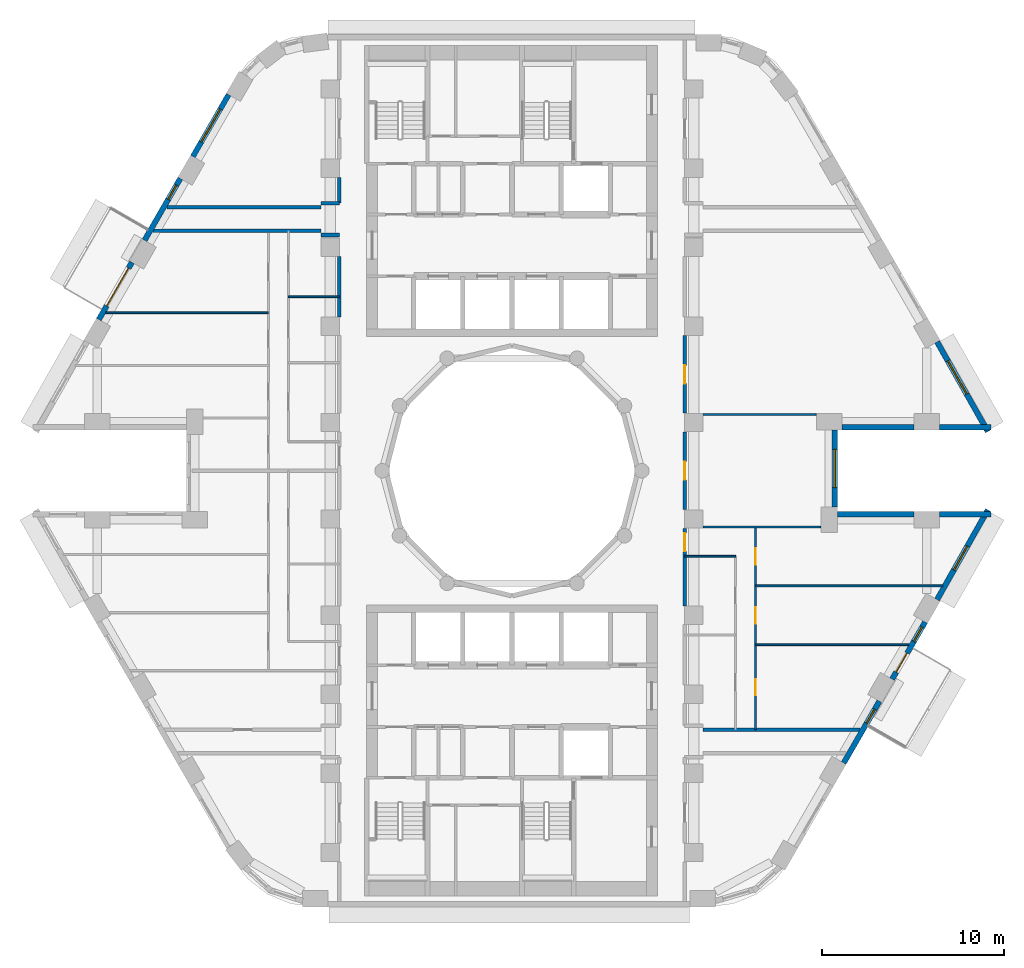
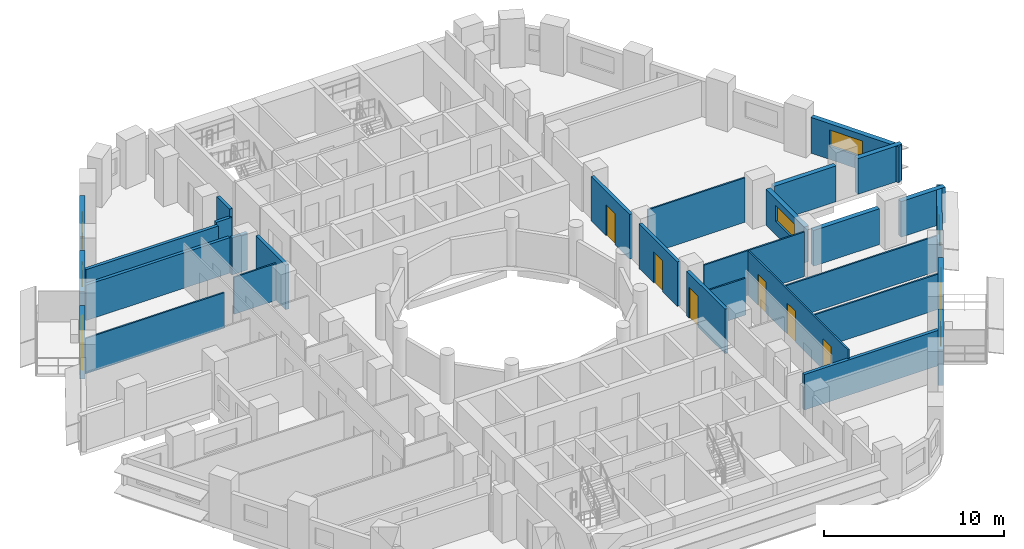
# One storey, part 6 of 14: 30 walls, 8 doors, 7 windows, 15 openings.
"""IFC4 building model written with IfcOpenShell, lengths in metres."""

from ifc_helpers import new_model, si_unit, direction, frame, frame_2d, origin, place, context, subcontext, project, spatial, rectangle, extrude, material, layer, layer_set, type_object, element, fill, save


model = new_model("IFC4")

# Units and contexts
model_context = context("Model", 3, precision=1e-05, world=origin(), true_north=direction((0.0, 1.0)))
body_context = subcontext(model_context, "Body", "Model", "MODEL_VIEW")
ifc_project = project(units=[si_unit("LENGTHUNIT", "METRE"), si_unit("AREAUNIT", "SQUARE_METRE"), si_unit("VOLUMEUNIT", "CUBIC_METRE"), si_unit("PLANEANGLEUNIT", "RADIAN"), si_unit("MASSUNIT", "GRAM", prefix="KILO")], contexts=[model_context])

# Site, building, storey
site_placement = place(None, origin())
site = spatial("IfcSite", under=ifc_project, at=site_placement, CompositionType="ELEMENT")
building_placement = place(site_placement, origin())
building = spatial("IfcBuilding", under=site, at=building_placement, Name="Nakaniwa Court", CompositionType="ELEMENT")
storey_placement = place(building_placement, frame((0.0, 0.0, 110.699951171875)))
storey = spatial("IfcBuildingStorey", under=building, at=storey_placement, Name="L29", CompositionType="ELEMENT", Elevation=110.699951171875)

# Wall, opening, door
ifc_material_1 = material(Name="Acoustic double stud partition")
ifc_layer_1 = layer(ifc_material_1, 0.199951171875)
ifc_layer_set_1 = layer_set([ifc_layer_1], Name="Acoustic double stud partition")
wall_type_1 = type_object("IfcWallType", Name="Acoustic double stud partition 200", PredefinedType="PARTITIONING", material=ifc_layer_set_1)
wall_1_placement = place(storey_placement, frame((89.5, 76.8330078125, 0.0), z_axis=(0.0, 0.0, 1.0), x_axis=(0.0, -1.0, 0.0)))
wall_1 = element("IfcWall", 1, at=wall_1_placement, inside=storey, type_object=wall_type_1, Name="Partition PW-074", PredefinedType="PARTITIONING", context=body_context, shape_type="SweptSolid", body=[
    extrude(rectangle(XDim=4.26611328125, YDim=0.199951171875, at=frame_2d((2.133056640625, 0.0))), origin(), (0.0, 0.0, 1.0), 3.025146484375),
])
opening_1_placement = place(wall_1_placement, frame((0.26806640625, 0.0, 0.0)))
opening_1 = element("IfcOpeningElement", 2, at=opening_1_placement, cuts=wall_1, Name="Opening D-01-01", PredefinedType="OPENING", context=body_context, shape_type="SweptSolid", body=[
    extrude(rectangle(XDim=1.0, YDim=2.10009765625, at=frame_2d((0.5, 1.050048828125))), frame((0.0, 0.10986328125, 0.0), z_axis=(0.0, -1.0, 0.0), x_axis=(1.0, 0.0, 0.0)), (0.0, 0.0, 1.0), 0.219970703125),
])
ifc_material_2 = material(Name="Solid core timber door set, black veneer", Category="wood")
door_type_1 = type_object("IfcDoorType", Name="Flat entrance door 1000", OperationType="NOTDEFINED", PredefinedType="DOOR", material=ifc_material_2)
door_1_placement = place(opening_1_placement, origin())
door_1 = element("IfcDoor", 3, at=door_1_placement, inside=storey, type_object=door_type_1, Name="Door D-01-01 L29-028", OperationType="SINGLE_SWING_LEFT", OverallHeight=2.10009765625, OverallWidth=1.0, PredefinedType="DOOR", context=body_context, shape_type="SweptSolid", body=[
    extrude(rectangle(XDim=1.0, YDim=2.10009765625, at=frame_2d((0.5, 1.050048828125))), frame((0.0, 0.02490234375, 0.0), z_axis=(0.0, -1.0, 0.0), x_axis=(1.0, 0.0, 0.0)), (0.0, 0.0, 1.0), 0.050048828125),
])
fill(opening_1, door_1)

wall_2_placement = place(storey_placement, frame((89.5, 82.133056640625, 0.0), z_axis=(0.0, 0.0, 1.0), x_axis=(0.0, -1.0, 0.0)))
wall_2 = element("IfcWall", 4, at=wall_2_placement, inside=storey, type_object=wall_type_1, Name="Partition PW-075", PredefinedType="PARTITIONING", context=body_context, shape_type="SweptSolid", body=[
    extrude(rectangle(XDim=4.26611328125, YDim=0.199951171875, at=frame_2d((2.133056640625, 0.0))), origin(), (0.0, 0.0, 1.0), 3.025146484375),
])
opening_2_placement = place(wall_2_placement, frame((1.633056640625, 0.0, 0.0)))
opening_2 = element("IfcOpeningElement", 5, at=opening_2_placement, cuts=wall_2, Name="Opening D-02-02", PredefinedType="OPENING", context=body_context, shape_type="SweptSolid", body=[
    extrude(rectangle(XDim=1.0, YDim=2.10009765625, at=frame_2d((0.5, 1.050048828125))), frame((0.0, 0.10986328125, 0.0), z_axis=(0.0, -1.0, 0.0), x_axis=(1.0, 0.0, 0.0)), (0.0, 0.0, 1.0), 0.219970703125),
])
door_type_2 = type_object("IfcDoorType", Name="Internal door 1000", OperationType="NOTDEFINED", PredefinedType="DOOR", material=ifc_material_2)
door_2_placement = place(opening_2_placement, origin())
door_2 = element("IfcDoor", 6, at=door_2_placement, inside=storey, type_object=door_type_2, Name="Door D-02-02 L29-034", OperationType="SINGLE_SWING_LEFT", OverallHeight=2.10009765625, OverallWidth=1.0, PredefinedType="DOOR", context=body_context, shape_type="SweptSolid", body=[
    extrude(rectangle(XDim=1.0, YDim=2.10009765625, at=frame_2d((0.5, 1.050048828125))), frame((0.0, 0.02490234375, 0.0), z_axis=(0.0, -1.0, 0.0), x_axis=(1.0, 0.0, 0.0)), (0.0, 0.0, 1.0), 0.050048828125),
])
fill(opening_2, door_2)

wall_3_placement = place(storey_placement, frame((89.5, 87.43310546875, 0.0), z_axis=(0.0, 0.0, 1.0), x_axis=(0.0, -1.0, 0.0)))
wall_3 = element("IfcWall", 7, at=wall_3_placement, inside=storey, type_object=wall_type_1, Name="Partition PW-076", PredefinedType="PARTITIONING", context=body_context, shape_type="SweptSolid", body=[
    extrude(rectangle(XDim=4.26611328125, YDim=0.199951171875, at=frame_2d((2.133056640625, 0.0))), origin(), (0.0, 0.0, 1.0), 3.025146484375),
])
opening_3_placement = place(wall_3_placement, frame((1.633056640625, 0.0, 0.0)))
opening_3 = element("IfcOpeningElement", 8, at=opening_3_placement, cuts=wall_3, Name="Opening D-02-03", PredefinedType="OPENING", context=body_context, shape_type="SweptSolid", body=[
    extrude(rectangle(XDim=1.0, YDim=2.10009765625, at=frame_2d((0.5, 1.050048828125))), frame((0.0, 0.10986328125, 0.0), z_axis=(0.0, -1.0, 0.0), x_axis=(1.0, 0.0, 0.0)), (0.0, 0.0, 1.0), 0.219970703125),
])
door_3_placement = place(opening_3_placement, origin())
door_3 = element("IfcDoor", 9, at=door_3_placement, inside=storey, type_object=door_type_2, Name="Door D-02-03 L29-035", OperationType="SINGLE_SWING_RIGHT", OverallHeight=2.10009765625, OverallWidth=1.0, PredefinedType="DOOR", context=body_context, shape_type="SweptSolid", body=[
    extrude(rectangle(XDim=1.0, YDim=2.10009765625, at=frame_2d((0.5, 1.050048828125))), frame((0.0, 0.02490234375, 0.0), z_axis=(0.0, -1.0, 0.0), x_axis=(1.0, 0.0, 0.0)), (0.0, 0.0, 1.0), 0.050048828125),
])
fill(opening_3, door_3)

# Walls
wall_4_placement = place(storey_placement, frame((60.254638671875, 93.199951171875, 0.0), z_axis=(0.0, 0.0, 1.0), x_axis=(1.0, 0.0, 0.0)))
element("IfcWall", 10, at=wall_4_placement, inside=storey, type_object=wall_type_1, Name="Partition PW-081", PredefinedType="PARTITIONING", context=body_context, shape_type="SweptSolid", body=[
    extrude(rectangle(XDim=9.245361328125, YDim=0.199951171875, at=frame_2d((4.62255859375, 0.0))), origin(), (0.0, 0.0, 1.0), 2.405029296875),
])
for number, where, z_axis, x_axis, name in (
    (11, (69.5, 92.97509765625, 0.0), (0.0, 0.0, 1.0), (1.0, 0.0, 0.0), "Partition PW-083"),
    (12, (69.5, 94.72509765625, 0.0), (0.0, 0.0, 1.0), (1.0, 0.0, 0.0), "Partition PW-085"),
):
    element("IfcWall", number, at=place(storey_placement, frame(where, z_axis=z_axis, x_axis=x_axis)), inside=storey, type_object=wall_type_1, Name=name, PredefinedType="PARTITIONING", context=body_context, shape_type="SweptSolid", body=[
        extrude(rectangle(XDim=1.0, YDim=0.199951171875, at=frame_2d((0.5, 0.0))), origin(), (0.0, 0.0, 1.0), 2.505126953125),
    ])
wall_5_placement = place(storey_placement, frame((61.005126953125, 94.5, 0.0), z_axis=(0.0, 0.0, 1.0), x_axis=(1.0, 0.0, 0.0)))
element("IfcWall", 13, at=wall_5_placement, inside=storey, type_object=wall_type_1, Name="Partition PW-087", PredefinedType="PARTITIONING", context=body_context, shape_type="SweptSolid", body=[
    extrude(rectangle(XDim=8.494873046875, YDim=0.199951171875, at=frame_2d((4.24755859375, 0.0))), origin(), (0.0, 0.0, 1.0), 2.405029296875),
])
wall_6_placement = place(storey_placement, frame((90.5, 65.75, 0.0), z_axis=(0.0, 0.0, 1.0), x_axis=(1.0, 0.0, 0.0)))
element("IfcWall", 14, at=wall_6_placement, inside=storey, type_object=wall_type_1, Name="Partition PW-096", PredefinedType="PARTITIONING", context=body_context, shape_type="SweptSolid", body=[
    extrude(rectangle(XDim=8.63916015625, YDim=0.199951171875, at=frame_2d((4.319580078125, 0.0))), origin(), (0.0, 0.0, 1.0), 2.405029296875),
])
wall_7_placement = place(storey_placement, frame((70.5, 88.467041015625, 0.0), z_axis=(0.0, 0.0, 1.0), x_axis=(0.0, 1.0, 0.0)))
element("IfcWall", 15, at=wall_7_placement, inside=storey, type_object=wall_type_1, Name="Partition PW-105", PredefinedType="PARTITIONING", context=body_context, shape_type="SweptSolid", body=[
    extrude(rectangle(XDim=3.31591796875, YDim=0.199951171875, at=frame_2d((1.657958984375, 0.0))), origin(), (0.0, 0.0, 1.0), 3.025146484375),
])
wall_8_placement = place(storey_placement, frame((70.5, 94.721923828125, 0.0), z_axis=(0.0, 0.0, 1.0), x_axis=(0.0, 1.0, 0.0)))
element("IfcWall", 16, at=wall_8_placement, inside=storey, type_object=wall_type_1, Name="Partition PW-106", PredefinedType="PARTITIONING", context=body_context, shape_type="SweptSolid", body=[
    extrude(rectangle(XDim=1.4111328125, YDim=0.199951171875, at=frame_2d((0.70556640625, 0.0))), origin(), (0.0, 0.0, 1.0), 3.025146484375),
])
ifc_material_3 = material(Name="Charcoal ceramic cladding")
ifc_layer_2 = layer(ifc_material_3, 0.02, Name="Ceramic cladding")
ifc_material_4 = material(Name="Ventilated air cavity")
ifc_layer_3 = layer(ifc_material_4, 0.04, ventilated=True, Name="Ventilated cavity")
ifc_material_5 = material(Name="Mineral wool insulation")
ifc_layer_4 = layer(ifc_material_5, 0.1, Name="Insulation")
ifc_material_6 = material(Name="Cement bonded sheathing board")
ifc_layer_5 = layer(ifc_material_6, 0.012, Name="Sheathing")
ifc_material_7 = material(Name="Cold-formed galvanised stud frame with mineral wool infill")
ifc_layer_6 = layer(ifc_material_7, 0.1, Name="Stud frame")
ifc_material_8 = material(Name="Fire-rated gypsum plasterboard lining")
ifc_layer_7 = layer(ifc_material_8, 0.028, Name="Lining")
ifc_layer_set_2 = layer_set([ifc_layer_2, ifc_layer_3, ifc_layer_4, ifc_layer_5, ifc_layer_6, ifc_layer_7], Name="Charcoal ceramic faced external wall system")
wall_type_2 = type_object("IfcWallType", Name="Black ceramic faced external wall 300", PredefinedType="SOLIDWALL", material=ifc_layer_set_2)
wall_9_placement = place(storey_placement, frame((98.154296875, 82.39990234375, 0.0), z_axis=(0.0, 0.0, 1.0), x_axis=(1.0, 0.0, 0.0)))
element("IfcWall", 17, at=wall_9_placement, inside=storey, type_object=wall_type_2, Name="L29 external wall 00", PredefinedType="SOLIDWALL", context=body_context, shape_type="SweptSolid", body=[
    extrude(rectangle(XDim=3.97265625, YDim=0.300048828125, at=frame_2d((1.986328125, 0.0))), origin(), (0.0, 0.0, 1.0), 2.425048828125),
])
wall_10_placement = place(storey_placement, frame((103.518798828125, 82.39990234375, 0.0), z_axis=(0.0, 0.0, 1.0), x_axis=(1.0, 0.0, 0.0)))
element("IfcWall", 18, at=wall_10_placement, inside=storey, type_object=wall_type_2, Name="L29 external wall 01", PredefinedType="SOLIDWALL", context=body_context, shape_type="SweptSolid", body=[
    extrude(rectangle(XDim=2.837890625, YDim=0.300048828125, at=frame_2d((1.4189453125, 0.0))), origin(), (0.0, 0.0, 1.0), 2.425048828125),
])

# Wall, opening, window
wall_11_placement = place(storey_placement, frame((106.18603515625, 82.1533203125, 0.0), z_axis=(0.0, 0.0, 1.0), x_axis=(-0.492456858874, 0.870336855561, 0.0)))
wall_11 = element("IfcWall", 19, at=wall_11_placement, inside=storey, type_object=wall_type_2, Name="L29 external wall 02", PredefinedType="SOLIDWALL", context=body_context, shape_type="SweptSolid", body=[
    extrude(rectangle(XDim=5.676513671875, YDim=0.300048828125, at=frame_2d((2.83837890625, 0.0))), origin(), (0.0, 0.0, 1.0), 2.425048828125),
])
opening_4_placement = place(wall_11_placement, frame((2.367431640625, 0.0, 0.89990234375)))
opening_4 = element("IfcOpeningElement", 20, at=opening_4_placement, cuts=wall_11, Name="Opening W7.01", PredefinedType="OPENING", context=body_context, shape_type="SweptSolid", body=[
    extrude(rectangle(XDim=2.10009765625, YDim=1.10009765625, at=frame_2d((1.050048828125, 0.550048828125))), frame((0.0, 0.159912109375, 0.0), z_axis=(0.0, -1.0, 0.0), x_axis=(1.0, 0.0, 0.0)), (0.0, 0.0, 1.0), 0.320068359375),
])
ifc_material_9 = material(Name="Black anodised aluminium frame with dark low-E laminated double glazing", Category="aluminium")
window_type_1 = type_object("IfcWindowType", Name="Dark glass window 2100x1100 sill 900", PartitioningType="SINGLE_PANEL", PredefinedType="WINDOW", material=ifc_material_9)
window_1_placement = place(opening_4_placement, origin())
window_1 = element("IfcWindow", 21, at=window_1_placement, inside=storey, type_object=window_type_1, Name="L29 habitable room window 02-0", OverallHeight=1.10009765625, OverallWidth=2.10009765625, PartitioningType="SINGLE_PANEL", PredefinedType="WINDOW", context=body_context, shape_type="SweptSolid", body=[
    extrude(rectangle(XDim=2.10009765625, YDim=1.10009765625, at=frame_2d((1.050048828125, 0.550048828125))), frame((0.0, 0.030029296875, 0.0), z_axis=(0.0, -1.0, 0.0), x_axis=(1.0, 0.0, 0.0)), (0.0, 0.0, 1.0), 0.06005859375),
])
fill(opening_4, window_1)

wall_12_placement = place(storey_placement, frame((64.40966796875, 100.69677734375, 0.0), z_axis=(0.0, 0.0, 1.0), x_axis=(-0.500003583557, -0.866023334807, 0.0)))
wall_12 = element("IfcWall", 22, at=wall_12_placement, inside=storey, type_object=wall_type_2, Name="L29 external wall 11", PredefinedType="SOLIDWALL", context=body_context, shape_type="SweptSolid", body=[
    extrude(rectangle(XDim=3.93408203125, YDim=0.300048828125, at=frame_2d((1.967041015625, 0.0))), origin(), (0.0, 0.0, 1.0), 2.425048828125),
])
opening_5_placement = place(wall_12_placement, frame((0.9169921875, 0.0, 0.89990234375)))
opening_5 = element("IfcOpeningElement", 23, at=opening_5_placement, cuts=wall_12, Name="Opening W7.09", PredefinedType="OPENING", context=body_context, shape_type="SweptSolid", body=[
    extrude(rectangle(XDim=2.10009765625, YDim=1.10009765625, at=frame_2d((1.050048828125, 0.550048828125))), frame((0.0, 0.159912109375, 0.0), z_axis=(0.0, -1.0, 0.0), x_axis=(1.0, 0.0, 0.0)), (0.0, 0.0, 1.0), 0.320068359375),
])
window_2_placement = place(opening_5_placement, origin())
window_2 = element("IfcWindow", 24, at=window_2_placement, inside=storey, type_object=window_type_1, Name="L29 habitable room window 11-0", OverallHeight=1.10009765625, OverallWidth=2.10009765625, PartitioningType="SINGLE_PANEL", PredefinedType="WINDOW", context=body_context, shape_type="SweptSolid", body=[
    extrude(rectangle(XDim=2.10009765625, YDim=1.10009765625, at=frame_2d((1.050048828125, 0.550048828125))), frame((0.0, 0.030029296875, 0.0), z_axis=(0.0, -1.0, 0.0), x_axis=(1.0, 0.0, 0.0)), (0.0, 0.0, 1.0), 0.06005859375),
])
fill(opening_5, window_2)

wall_13_placement = place(storey_placement, frame((61.74658203125, 96.08447265625, 0.0), z_axis=(0.0, 0.0, 1.0), x_axis=(-0.499957037901, -0.866050206543, 0.0)))
wall_13 = element("IfcWall", 25, at=wall_13_placement, inside=storey, type_object=wall_type_2, Name="L29 external wall 12", PredefinedType="SOLIDWALL", context=body_context, shape_type="SweptSolid", body=[
    extrude(rectangle(XDim=3.933837890625, YDim=0.300048828125, at=frame_2d((1.966796875, 0.0))), origin(), (0.0, 0.0, 1.0), 2.425048828125),
])
opening_6_placement = place(wall_13_placement, frame((0.427734375, 0.0, 0.89990234375)))
opening_6 = element("IfcOpeningElement", 26, at=opening_6_placement, cuts=wall_13, Name="Opening W9.10", PredefinedType="OPENING", context=body_context, shape_type="SweptSolid", body=[
    extrude(rectangle(XDim=0.89990234375, YDim=1.10009765625, at=frame_2d((0.449951171875, 0.550048828125))), frame((0.0, 0.159912109375, 0.0), z_axis=(0.0, -1.0, 0.0), x_axis=(1.0, 0.0, 0.0)), (0.0, 0.0, 1.0), 0.320068359375),
])
window_type_2 = type_object("IfcWindowType", Name="Dark glass window 900x1100 sill 900", PartitioningType="SINGLE_PANEL", PredefinedType="WINDOW", material=ifc_material_9)
window_3_placement = place(opening_6_placement, origin())
window_3 = element("IfcWindow", 27, at=window_3_placement, inside=storey, type_object=window_type_2, Name="L29 habitable room window 12-0", OverallHeight=1.10009765625, OverallWidth=0.89990234375, PartitioningType="SINGLE_PANEL", PredefinedType="WINDOW", context=body_context, shape_type="SweptSolid", body=[
    extrude(rectangle(XDim=0.89990234375, YDim=1.10009765625, at=frame_2d((0.449951171875, 0.550048828125))), frame((0.0, 0.030029296875, 0.0), z_axis=(0.0, -1.0, 0.0), x_axis=(1.0, 0.0, 0.0)), (0.0, 0.0, 1.0), 0.06005859375),
])
fill(opening_6, window_3)

# Wall, opening, door
wall_14_placement = place(storey_placement, frame((59.083740234375, 91.471923828125, 0.0), z_axis=(0.0, 0.0, 1.0), x_axis=(-0.500009139881, -0.866020126807, 0.0)))
wall_14 = element("IfcWall", 28, at=wall_14_placement, inside=storey, type_object=wall_type_2, Name="L29 external wall 13", PredefinedType="SOLIDWALL", context=body_context, shape_type="SweptSolid", body=[
    extrude(rectangle(XDim=3.63671875, YDim=0.300048828125, at=frame_2d((1.818359375, 0.0))), origin(), (0.0, 0.0, 1.0), 2.425048828125),
])
opening_7_placement = place(wall_14_placement, frame((0.36767578125, 0.0, 0.0)))
opening_7 = element("IfcOpeningElement", 29, at=opening_7_placement, cuts=wall_14, Name="Opening XD13.01", PredefinedType="OPENING", context=body_context, shape_type="SweptSolid", body=[
    extrude(rectangle(XDim=2.39990234375, YDim=2.0, at=frame_2d((1.199951171875, 1.0))), frame((0.0, 0.159912109375, 0.0), z_axis=(0.0, -1.0, 0.0), x_axis=(1.0, 0.0, 0.0)), (0.0, 0.0, 1.0), 0.320068359375),
])
ifc_material_10 = material(Name="Black powder-coated aluminium frame with dark laminated glass", Category="aluminium")
door_type_3 = type_object("IfcDoorType", Name="Balcony sliding door 2400x2000", OperationType="DOUBLE_DOOR_SLIDING", PredefinedType="DOOR", material=ifc_material_10)
door_4_placement = place(opening_7_placement, origin())
door_4 = element("IfcDoor", 30, at=door_4_placement, inside=storey, type_object=door_type_3, Name="L29 balcony sliding door 01", OperationType="DOUBLE_DOOR_SLIDING", OverallHeight=2.0, OverallWidth=2.39990234375, PredefinedType="DOOR", context=body_context, shape_type="SweptSolid", body=[
    extrude(rectangle(XDim=2.39990234375, YDim=2.0, at=frame_2d((1.199951171875, 1.0))), frame((0.0, 0.02490234375, 0.0), z_axis=(0.0, -1.0, 0.0), x_axis=(1.0, 0.0, 0.0)), (0.0, 0.0, 1.0), 0.050048828125),
])
fill(opening_7, door_4)

# Wall, opening, window
wall_15_placement = place(storey_placement, frame((98.25341796875, 63.91552734375, 0.0), z_axis=(0.0, 0.0, 1.0), x_axis=(0.499957037901, 0.866050206543, 0.0)))
wall_15 = element("IfcWall", 31, at=wall_15_placement, inside=storey, type_object=wall_type_2, Name="L29 external wall 30", PredefinedType="SOLIDWALL", context=body_context, shape_type="SweptSolid", body=[
    extrude(rectangle(XDim=3.933837890625, YDim=0.300048828125, at=frame_2d((1.966796875, 0.0))), origin(), (0.0, 0.0, 1.0), 2.425048828125),
])
opening_8_placement = place(wall_15_placement, frame((2.514892578125, 0.0, 0.89990234375)))
opening_8 = element("IfcOpeningElement", 32, at=opening_8_placement, cuts=wall_15, Name="Opening W9.27", PredefinedType="OPENING", context=body_context, shape_type="SweptSolid", body=[
    extrude(rectangle(XDim=0.89990234375, YDim=1.10009765625, at=frame_2d((0.449951171875, 0.550048828125))), frame((0.0, 0.159912109375, 0.0), z_axis=(0.0, -1.0, 0.0), x_axis=(1.0, 0.0, 0.0)), (0.0, 0.0, 1.0), 0.320068359375),
])
window_4_placement = place(opening_8_placement, origin())
window_4 = element("IfcWindow", 33, at=window_4_placement, inside=storey, type_object=window_type_2, Name="L29 living window 30-2", OverallHeight=1.10009765625, OverallWidth=0.89990234375, PartitioningType="SINGLE_PANEL", PredefinedType="WINDOW", context=body_context, shape_type="SweptSolid", body=[
    extrude(rectangle(XDim=0.89990234375, YDim=1.10009765625, at=frame_2d((0.449951171875, 0.550048828125))), frame((0.0, 0.030029296875, 0.0), z_axis=(0.0, -1.0, 0.0), x_axis=(1.0, 0.0, 0.0)), (0.0, 0.0, 1.0), 0.06005859375),
])
fill(opening_8, window_4)

# Wall, openings, door, window
wall_16_placement = place(storey_placement, frame((100.916259765625, 68.528076171875, 0.0), z_axis=(0.0, 0.0, 1.0), x_axis=(0.500009139881, 0.866020126807, 0.0)))
wall_16 = element("IfcWall", 34, at=wall_16_placement, inside=storey, type_object=wall_type_2, Name="L29 external wall 31", PredefinedType="SOLIDWALL", context=body_context, shape_type="SweptSolid", body=[
    extrude(rectangle(XDim=3.63671875, YDim=0.300048828125, at=frame_2d((1.818359375, 0.0))), origin(), (0.0, 0.0, 1.0), 2.425048828125),
])
opening_9_placement = place(wall_16_placement, frame((0.45849609375, 0.0, 0.0)))
opening_9 = element("IfcOpeningElement", 35, at=opening_9_placement, cuts=wall_16, Name="Opening XD10.02", PredefinedType="OPENING", context=body_context, shape_type="SweptSolid", body=[
    extrude(rectangle(XDim=1.199951171875, YDim=2.0, at=frame_2d((0.60009765625, 1.0))), frame((0.0, 0.159912109375, 0.0), z_axis=(0.0, -1.0, 0.0), x_axis=(1.0, 0.0, 0.0)), (0.0, 0.0, 1.0), 0.320068359375),
])
opening_10_placement = place(wall_16_placement, frame((2.403076171875, 0.0, 0.89990234375)))
opening_10 = element("IfcOpeningElement", 36, at=opening_10_placement, cuts=wall_16, Name="Opening W9.28", PredefinedType="OPENING", context=body_context, shape_type="SweptSolid", body=[
    extrude(rectangle(XDim=0.89990234375, YDim=1.10009765625, at=frame_2d((0.449951171875, 0.550048828125))), frame((0.0, 0.159912109375, 0.0), z_axis=(0.0, -1.0, 0.0), x_axis=(1.0, 0.0, 0.0)), (0.0, 0.0, 1.0), 0.320068359375),
])
door_type_4 = type_object("IfcDoorType", Name="Balcony sliding door 1200x2000", OperationType="SLIDING_TO_LEFT", PredefinedType="DOOR", material=ifc_material_10)
door_5_placement = place(opening_9_placement, origin())
door_5 = element("IfcDoor", 37, at=door_5_placement, inside=storey, type_object=door_type_4, Name="L29 balcony sliding door 02", OperationType="SLIDING_TO_LEFT", OverallHeight=2.0, OverallWidth=1.199951171875, PredefinedType="DOOR", context=body_context, shape_type="SweptSolid", body=[
    extrude(rectangle(XDim=1.199951171875, YDim=2.0, at=frame_2d((0.60009765625, 1.0))), frame((0.0, 0.02490234375, 0.0), z_axis=(0.0, -1.0, 0.0), x_axis=(1.0, 0.0, 0.0)), (0.0, 0.0, 1.0), 0.050048828125),
])
fill(opening_9, door_5)
window_5_placement = place(opening_10_placement, origin())
window_5 = element("IfcWindow", 38, at=window_5_placement, inside=storey, type_object=window_type_2, Name="L29 bedroom window 31-1", OverallHeight=1.10009765625, OverallWidth=0.89990234375, PartitioningType="SINGLE_PANEL", PredefinedType="WINDOW", context=body_context, shape_type="SweptSolid", body=[
    extrude(rectangle(XDim=0.89990234375, YDim=1.10009765625, at=frame_2d((0.449951171875, 0.550048828125))), frame((0.0, 0.030029296875, 0.0), z_axis=(0.0, -1.0, 0.0), x_axis=(1.0, 0.0, 0.0)), (0.0, 0.0, 1.0), 0.06005859375),
])
fill(opening_10, window_5)

# Wall, opening, window
wall_17_placement = place(storey_placement, frame((103.390625, 72.90625, 0.0), z_axis=(0.0, 0.0, 1.0), x_axis=(0.492456858874, 0.870336855561, 0.0)))
wall_17 = element("IfcWall", 39, at=wall_17_placement, inside=storey, type_object=wall_type_2, Name="L29 external wall 32", PredefinedType="SOLIDWALL", context=body_context, shape_type="SweptSolid", body=[
    extrude(rectangle(XDim=5.676513671875, YDim=0.300048828125, at=frame_2d((2.83837890625, 0.0))), origin(), (0.0, 0.0, 1.0), 2.425048828125),
])
opening_11_placement = place(wall_17_placement, frame((1.8828125, 0.0, 0.89990234375)))
opening_11 = element("IfcOpeningElement", 40, at=opening_11_placement, cuts=wall_17, Name="Opening W5.29", PredefinedType="OPENING", context=body_context, shape_type="SweptSolid", body=[
    extrude(rectangle(XDim=1.5, YDim=1.10009765625, at=frame_2d((0.75, 0.550048828125))), frame((0.0, 0.159912109375, 0.0), z_axis=(0.0, -1.0, 0.0), x_axis=(1.0, 0.0, 0.0)), (0.0, 0.0, 1.0), 0.320068359375),
])
window_type_3 = type_object("IfcWindowType", Name="Dark glass window 1500x1100 sill 900", PartitioningType="SINGLE_PANEL", PredefinedType="WINDOW", material=ifc_material_9)
window_6_placement = place(opening_11_placement, origin())
window_6 = element("IfcWindow", 41, at=window_6_placement, inside=storey, type_object=window_type_3, Name="L29 bedroom window 32-1", OverallHeight=1.10009765625, OverallWidth=1.5, PartitioningType="SINGLE_PANEL", PredefinedType="WINDOW", context=body_context, shape_type="SweptSolid", body=[
    extrude(rectangle(XDim=1.5, YDim=1.10009765625, at=frame_2d((0.75, 0.550048828125))), frame((0.0, 0.030029296875, 0.0), z_axis=(0.0, -1.0, 0.0), x_axis=(1.0, 0.0, 0.0)), (0.0, 0.0, 1.0), 0.06005859375),
])
fill(opening_11, window_6)

# Walls
wall_18_placement = place(storey_placement, frame((106.356689453125, 77.60009765625, 0.0), z_axis=(0.0, 0.0, 1.0), x_axis=(-1.0, 0.0, 0.0)))
element("IfcWall", 42, at=wall_18_placement, inside=storey, type_object=wall_type_2, Name="L29 external wall 33", PredefinedType="SOLIDWALL", context=body_context, shape_type="SweptSolid", body=[
    extrude(rectangle(XDim=2.837890625, YDim=0.300048828125, at=frame_2d((1.4189453125, 0.0))), origin(), (0.0, 0.0, 1.0), 2.425048828125),
])
wall_19_placement = place(storey_placement, frame((102.126953125, 77.60009765625, 0.0), z_axis=(0.0, 0.0, 1.0), x_axis=(-1.0, 0.0, 0.0)))
element("IfcWall", 43, at=wall_19_placement, inside=storey, type_object=wall_type_2, Name="L29 external wall 34", PredefinedType="SOLIDWALL", context=body_context, shape_type="SweptSolid", body=[
    extrude(rectangle(XDim=4.22265625, YDim=0.300048828125, at=frame_2d((2.111328125, 0.0))), origin(), (0.0, 0.0, 1.0), 2.425048828125),
])

# Wall, opening, window
wall_20_placement = place(storey_placement, frame((97.75830078125, 77.99609375, 0.0), z_axis=(0.0, 0.0, 1.0), x_axis=(0.0, 1.0, 0.0)))
wall_20 = element("IfcWall", 44, at=wall_20_placement, inside=storey, type_object=wall_type_2, Name="L29 external wall 35", PredefinedType="SOLIDWALL", context=body_context, shape_type="SweptSolid", body=[
    extrude(rectangle(XDim=4.2578125, YDim=0.300048828125, at=frame_2d((2.12890625, 0.0))), origin(), (0.0, 0.0, 1.0), 2.425048828125),
])
opening_12_placement = place(wall_20_placement, frame((1.0791015625, 0.0, 0.89990234375)))
opening_12 = element("IfcOpeningElement", 45, at=opening_12_placement, cuts=wall_20, Name="Opening W7.30", PredefinedType="OPENING", context=body_context, shape_type="SweptSolid", body=[
    extrude(rectangle(XDim=2.10009765625, YDim=1.10009765625, at=frame_2d((1.050048828125, 0.550048828125))), frame((0.0, 0.159912109375, 0.0), z_axis=(0.0, -1.0, 0.0), x_axis=(1.0, 0.0, 0.0)), (0.0, 0.0, 1.0), 0.320068359375),
])
window_7_placement = place(opening_12_placement, origin())
window_7 = element("IfcWindow", 46, at=window_7_placement, inside=storey, type_object=window_type_1, Name="L29 habitable room window 35-0", OverallHeight=1.10009765625, OverallWidth=2.10009765625, PartitioningType="SINGLE_PANEL", PredefinedType="WINDOW", context=body_context, shape_type="SweptSolid", body=[
    extrude(rectangle(XDim=2.10009765625, YDim=1.10009765625, at=frame_2d((1.050048828125, 0.550048828125))), frame((0.0, 0.030029296875, 0.0), z_axis=(0.0, -1.0, 0.0), x_axis=(1.0, 0.0, 0.0)), (0.0, 0.0, 1.0), 0.06005859375),
])
fill(opening_12, window_7)

# Wall
ifc_material_11 = material(Name="Single stud plasterboard partition")
ifc_layer_8 = layer(ifc_material_11, 0.10009765625)
ifc_layer_set_3 = layer_set([ifc_layer_8], Name="Single stud plasterboard partition")
wall_type_3 = type_object("IfcWallType", Name="Single stud plasterboard partition 100", PredefinedType="PARTITIONING", material=ifc_layer_set_3)
wall_21_placement = place(storey_placement, frame((89.5, 75.300048828125, 0.0), z_axis=(0.0, 0.0, 1.0), x_axis=(1.0, 0.0, 0.0)))
element("IfcWall", 47, at=wall_21_placement, inside=storey, type_object=wall_type_3, Name="Partition PW-111", PredefinedType="PARTITIONING", context=body_context, shape_type="SweptSolid", body=[
    extrude(rectangle(XDim=2.800048828125, YDim=0.10009765625, at=frame_2d((1.39990234375, 0.0))), origin(), (0.0, 0.0, 1.0), 2.505126953125),
])

# Wall, openings, doors
wall_22_placement = place(storey_placement, frame((93.39990234375, 76.89990234375, 0.0), z_axis=(0.0, 0.0, 1.0), x_axis=(0.0, -1.0, 0.0)))
wall_22 = element("IfcWall", 48, at=wall_22_placement, inside=storey, type_object=wall_type_3, Name="Partition PW-112", PredefinedType="PARTITIONING", context=body_context, shape_type="SweptSolid", body=[
    extrude(rectangle(XDim=11.14990234375, YDim=0.10009765625, at=frame_2d((5.574951171875, 0.0))), origin(), (0.0, 0.0, 1.0), 3.025146484375),
])
opening_13_placement = place(wall_22_placement, frame((8.362060546875, 0.0, 0.0)))
opening_13 = element("IfcOpeningElement", 49, at=opening_13_placement, cuts=wall_22, Name="Opening D-33-02", PredefinedType="OPENING", context=body_context, shape_type="SweptSolid", body=[
    extrude(rectangle(XDim=0.89990234375, YDim=2.10009765625, at=frame_2d((0.449951171875, 1.050048828125))), frame((0.0, 0.06005859375, 0.0), z_axis=(0.0, -1.0, 0.0), x_axis=(1.0, 0.0, 0.0)), (0.0, 0.0, 1.0), 0.1201171875),
])
opening_14_placement = place(wall_22_placement, frame((4.406005859375, 0.0, 0.0)))
opening_14 = element("IfcOpeningElement", 50, at=opening_14_placement, cuts=wall_22, Name="Opening D-33-03", PredefinedType="OPENING", context=body_context, shape_type="SweptSolid", body=[
    extrude(rectangle(XDim=0.89990234375, YDim=2.10009765625, at=frame_2d((0.449951171875, 1.050048828125))), frame((0.0, 0.06005859375, 0.0), z_axis=(0.0, -1.0, 0.0), x_axis=(1.0, 0.0, 0.0)), (0.0, 0.0, 1.0), 0.1201171875),
])
opening_15_placement = place(wall_22_placement, frame((1.1689453125, 0.0, 0.0)))
opening_15 = element("IfcOpeningElement", 51, at=opening_15_placement, cuts=wall_22, Name="Opening D-33-04", PredefinedType="OPENING", context=body_context, shape_type="SweptSolid", body=[
    extrude(rectangle(XDim=0.89990234375, YDim=2.10009765625, at=frame_2d((0.449951171875, 1.050048828125))), frame((0.0, 0.06005859375, 0.0), z_axis=(0.0, -1.0, 0.0), x_axis=(1.0, 0.0, 0.0)), (0.0, 0.0, 1.0), 0.1201171875),
])
door_type_5 = type_object("IfcDoorType", Name="Internal door 900", OperationType="NOTDEFINED", PredefinedType="DOOR", material=ifc_material_2)
door_6_placement = place(opening_13_placement, origin())
door_6 = element("IfcDoor", 52, at=door_6_placement, inside=storey, type_object=door_type_5, Name="Door D-33-02 L29-031", OperationType="SINGLE_SWING_RIGHT", OverallHeight=2.10009765625, OverallWidth=0.89990234375, PredefinedType="DOOR", context=body_context, shape_type="SweptSolid", body=[
    extrude(rectangle(XDim=0.89990234375, YDim=2.10009765625, at=frame_2d((0.449951171875, 1.050048828125))), frame((0.0, 0.02490234375, 0.0), z_axis=(0.0, -1.0, 0.0), x_axis=(1.0, 0.0, 0.0)), (0.0, 0.0, 1.0), 0.050048828125),
])
fill(opening_13, door_6)
door_7_placement = place(opening_14_placement, origin())
door_7 = element("IfcDoor", 53, at=door_7_placement, inside=storey, type_object=door_type_5, Name="Door D-33-03 L29-032", OperationType="SINGLE_SWING_LEFT", OverallHeight=2.10009765625, OverallWidth=0.89990234375, PredefinedType="DOOR", context=body_context, shape_type="SweptSolid", body=[
    extrude(rectangle(XDim=0.89990234375, YDim=2.10009765625, at=frame_2d((0.449951171875, 1.050048828125))), frame((0.0, 0.02490234375, 0.0), z_axis=(0.0, -1.0, 0.0), x_axis=(1.0, 0.0, 0.0)), (0.0, 0.0, 1.0), 0.050048828125),
])
fill(opening_14, door_7)
door_8_placement = place(opening_15_placement, origin())
door_8 = element("IfcDoor", 54, at=door_8_placement, inside=storey, type_object=door_type_5, Name="Door D-33-04 L29-033", OperationType="SINGLE_SWING_RIGHT", OverallHeight=2.10009765625, OverallWidth=0.89990234375, PredefinedType="DOOR", context=body_context, shape_type="SweptSolid", body=[
    extrude(rectangle(XDim=0.89990234375, YDim=2.10009765625, at=frame_2d((0.449951171875, 1.050048828125))), frame((0.0, 0.02490234375, 0.0), z_axis=(0.0, -1.0, 0.0), x_axis=(1.0, 0.0, 0.0)), (0.0, 0.0, 1.0), 0.050048828125),
])
fill(opening_15, door_8)

# Walls
wall_23_placement = place(storey_placement, frame((90.52001953125, 76.89990234375, 0.0), z_axis=(0.0, 0.0, 1.0), x_axis=(1.0, 0.0, 0.0)))
element("IfcWall", 55, at=wall_23_placement, inside=storey, type_object=wall_type_3, Name="Partition PW-113", PredefinedType="PARTITIONING", context=body_context, shape_type="SweptSolid", body=[
    extrude(rectangle(XDim=6.46826171875, YDim=0.10009765625, at=frame_2d((3.234130859375, 0.0))), origin(), (0.0, 0.0, 1.0), 3.025146484375),
])
wall_24_placement = place(storey_placement, frame((93.39990234375, 70.426025390625, 0.0), z_axis=(0.0, 0.0, 1.0), x_axis=(1.0, 0.0, 0.0)))
element("IfcWall", 56, at=wall_24_placement, inside=storey, type_object=wall_type_3, Name="Partition PW-114", PredefinedType="PARTITIONING", context=body_context, shape_type="SweptSolid", body=[
    extrude(rectangle(XDim=8.438720703125, YDim=0.10009765625, at=frame_2d((4.21923828125, 0.0))), origin(), (0.0, 0.0, 1.0), 2.405029296875),
])
wall_25_placement = place(storey_placement, frame((93.39990234375, 73.6630859375, 0.0), z_axis=(0.0, 0.0, 1.0), x_axis=(1.0, 0.0, 0.0)))
element("IfcWall", 57, at=wall_25_placement, inside=storey, type_object=wall_type_3, Name="Partition PW-115", PredefinedType="PARTITIONING", context=body_context, shape_type="SweptSolid", body=[
    extrude(rectangle(XDim=10.3076171875, YDim=0.10009765625, at=frame_2d((5.15380859375, 0.0))), origin(), (0.0, 0.0, 1.0), 2.405029296875),
])
wall_26_placement = place(storey_placement, frame((90.52001953125, 83.10009765625, 0.0), z_axis=(0.0, 0.0, 1.0), x_axis=(1.0, 0.0, 0.0)))
element("IfcWall", 58, at=wall_26_placement, inside=storey, type_object=wall_type_3, Name="Partition PW-116", PredefinedType="PARTITIONING", context=body_context, shape_type="SweptSolid", body=[
    extrude(rectangle(XDim=6.21826171875, YDim=0.10009765625, at=frame_2d((3.109130859375, 0.0))), origin(), (0.0, 0.0, 1.0), 3.025146484375),
])
wall_27_placement = place(storey_placement, frame((67.699951171875, 89.574951171875, 0.0), z_axis=(0.0, 0.0, 1.0), x_axis=(1.0, 0.0, 0.0)))
element("IfcWall", 59, at=wall_27_placement, inside=storey, type_object=wall_type_3, Name="Partition PW-128", PredefinedType="PARTITIONING", context=body_context, shape_type="SweptSolid", body=[
    extrude(rectangle(XDim=2.800048828125, YDim=0.10009765625, at=frame_2d((1.39990234375, 0.0))), origin(), (0.0, 0.0, 1.0), 2.505126953125),
])
wall_28_placement = place(storey_placement, frame((57.65234375, 88.693115234375, 0.0), z_axis=(0.0, 0.0, 1.0), x_axis=(1.0, 0.0, 0.0)))
element("IfcWall", 60, at=wall_28_placement, inside=storey, type_object=wall_type_3, Name="Partition PW-131", PredefinedType="PARTITIONING", context=body_context, shape_type="SweptSolid", body=[
    extrude(rectangle(XDim=8.94775390625, YDim=0.10009765625, at=frame_2d((4.473876953125, 0.0))), origin(), (0.0, 0.0, 1.0), 2.405029296875),
])

save(model, "model.ifc")
